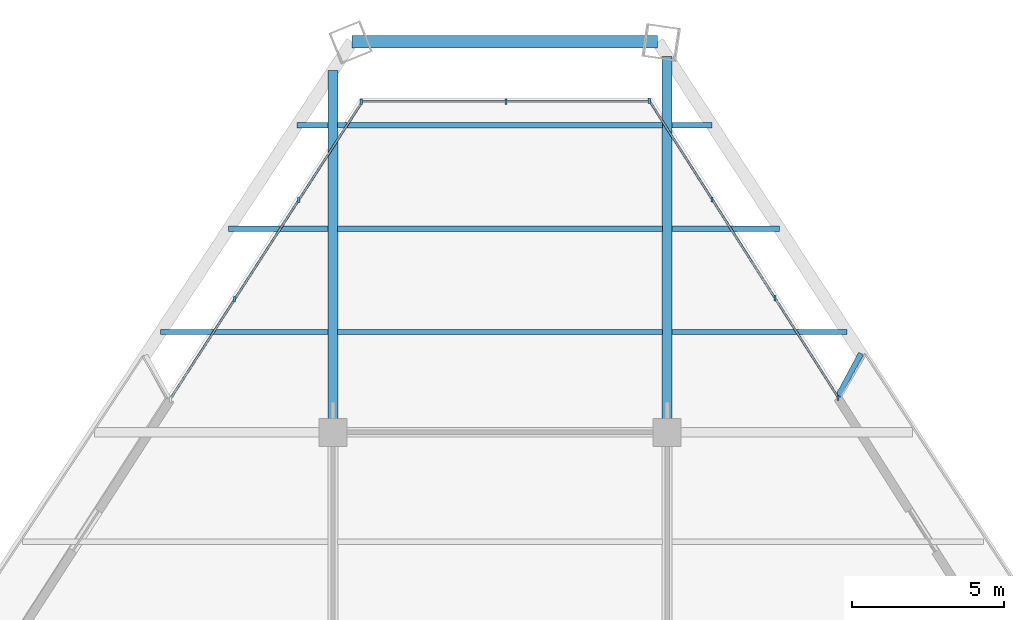
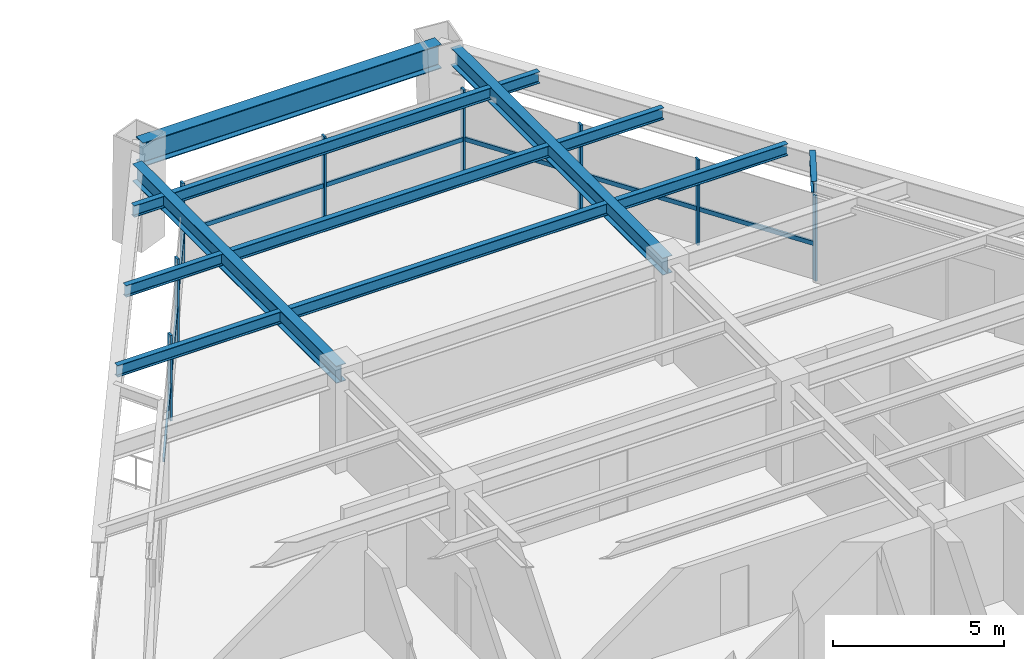
# One storey, part 9 of 15: 16 members, 13 beams, 3 elements without a shape of their own.
"""IFC4 building model written with IfcOpenShell, lengths in metres."""

from ifc_helpers import new_model, si_unit, direction, frame, origin, origin_2d, place, context, subcontext, project, spatial, rectangle, i_section, extrude, source, transform, mapped, material, material_profile, profile_set, type_object, element, aggregate, save


model = new_model("IFC4")

# Units and contexts
model_context = context("Model", 3, precision=1e-05, world=origin(), true_north=direction((0.0, 1.0)))
body_context = subcontext(model_context, "Body", "Model", "MODEL_VIEW")
ifc_project = project(units=[si_unit("LENGTHUNIT", "METRE"), si_unit("AREAUNIT", "SQUARE_METRE"), si_unit("VOLUMEUNIT", "CUBIC_METRE"), si_unit("PLANEANGLEUNIT", "RADIAN"), si_unit("MASSUNIT", "GRAM", prefix="KILO")], contexts=[model_context])

# Site, building, storey
site_placement = place(None, origin())
site = spatial("IfcSite", under=ifc_project, at=site_placement, CompositionType="ELEMENT")
building_placement = place(site_placement, origin())
building = spatial("IfcBuilding", under=site, at=building_placement, Name="Varnakhor Terracotta Tower", CompositionType="ELEMENT")
storey_placement = place(building_placement, frame((0.0, 0.0, 147.800048828125)))
storey = spatial("IfcBuildingStorey", under=building, at=storey_placement, Name="L37", CompositionType="ELEMENT", Elevation=147.800048828125)

# Beams
ifc_material_1 = material(Name="Steel S355", Category="steel")
ifc_material_profile_1 = material_profile(ifc_material_1, i_section(OverallWidth=0.179931640625, OverallDepth=0.4130859375, WebThickness=0.009765625, FlangeThickness=0.01611328125, FilletRadius=0.01806640625, at=origin_2d()), Name="W16X50")
ifc_profile_set_1 = profile_set([ifc_material_profile_1], Name="Steel S355")
beam_type_1 = type_object("IfcBeamType", Name="JST-W16X50", PredefinedType="JOIST", material=ifc_profile_set_1)
shared_shape_1 = source(origin(), body_context, "Body", "SweptSolid", [
    extrude(i_section(OverallWidth=0.179931640625, OverallDepth=0.4130859375, WebThickness=0.009765625, FlangeThickness=0.01611328125, FilletRadius=0.01806640625, at=origin_2d()), origin(), (0.0, 0.0, 1.0), 10.68310546875),
])
for number, where, z_axis, x_axis, name in (
    (1, (-5.341552734375, 34.800048828125, 3.263427734375), (1.0, 0.0, 0.0), (0.0, 1.0, 0.0), "L37 Composite Floor Joist 7-2"),
    (2, (-5.341552734375, 38.199951171875, 3.263427734375), (1.0, 0.0, 0.0), (0.0, 1.0, 0.0), "L37 Composite Floor Joist 8-2"),
    (3, (-5.341552734375, 41.60009765625, 3.263427734375), (1.0, 0.0, 0.0), (0.0, 1.0, 0.0), "L37 Composite Floor Joist 9-2"),
):
    element("IfcBeam", number, at=place(storey_placement, frame(where, z_axis=z_axis, x_axis=x_axis)), inside=storey, type_object=beam_type_1, Name=name, PredefinedType="JOIST", context=body_context, shape_type="MappedRepresentation", body=[
        mapped(shared_shape_1, transform((0.0, 0.0, 0.0), scale=1.0)),
    ])
ifc_material_profile_2 = material_profile(ifc_material_1, i_section(OverallWidth=0.39990234375, OverallDepth=0.85498046875, WebThickness=0.01806640625, FlangeThickness=0.029052734375, FilletRadius=0.01806640625, at=origin_2d()), Name="W33X201")
ifc_profile_set_2 = profile_set([ifc_material_profile_2], Name="Steel S355")
beam_type_2 = type_object("IfcBeamType", Name="BM-W33X201", PredefinedType="BEAM", material=ifc_profile_set_2)
shared_shape_2 = source(origin(), body_context, "Body", "SweptSolid", [
    extrude(i_section(OverallWidth=0.39990234375, OverallDepth=0.85498046875, WebThickness=0.01806640625, FlangeThickness=0.029052734375, FilletRadius=0.01806640625, at=origin_2d()), origin(), (0.0, 0.0, 1.0), 10.063232421875),
])
beam_1_placement = place(storey_placement, frame((5.189453125, 44.351318359375, 3.04248046875), z_axis=(-1.0, 0.0, 0.0), x_axis=(0.0, -1.0, 0.0)))
element("IfcBeam", 4, at=beam_1_placement, inside=storey, type_object=beam_type_2, Name="L37 Perimeter Spandrel 5", PredefinedType="BEAM", context=body_context, shape_type="MappedRepresentation", body=[
    mapped(shared_shape_2, transform((0.0, 0.0, 0.0), scale=1.0)),
])
ifc_material_profile_3 = material_profile(ifc_material_1, i_section(OverallWidth=0.324951171875, OverallDepth=0.615966796875, WebThickness=0.013916015625, FlangeThickness=0.02197265625, FilletRadius=0.01806640625, at=origin_2d()), Name="W24X117")
ifc_profile_set_3 = profile_set([ifc_material_profile_3], Name="Steel S355")
beam_type_3 = type_object("IfcBeamType", Name="BM-W24X117", PredefinedType="BEAM", material=ifc_profile_set_3)
shared_shape_3 = source(origin(), body_context, "Body", "SweptSolid", [
    extrude(i_section(OverallWidth=0.324951171875, OverallDepth=0.615966796875, WebThickness=0.013916015625, FlangeThickness=0.02197265625, FilletRadius=0.01806640625, at=origin_2d()), origin(), (0.0, 0.0, 1.0), 11.901611328125),
])
beam_2_placement = place(storey_placement, frame((-5.5, 31.5, 3.161865234375), z_axis=(0.0, 1.0, 0.0), x_axis=(-1.0, 0.0, 0.0)))
element("IfcBeam", 5, at=beam_2_placement, inside=storey, type_object=beam_type_3, Name="L37 Primary Girder NS3-W", PredefinedType="BEAM", context=body_context, shape_type="MappedRepresentation", body=[
    mapped(shared_shape_3, transform((0.0, 0.0, 0.0), scale=1.0)),
])
shared_shape_4 = source(origin(), body_context, "Body", "SweptSolid", [
    extrude(i_section(OverallWidth=0.324951171875, OverallDepth=0.615966796875, WebThickness=0.013916015625, FlangeThickness=0.02197265625, FilletRadius=0.01806640625, at=origin_2d()), origin(), (0.0, 0.0, 1.0), 12.375244140625),
])
beam_3_placement = place(storey_placement, frame((5.5, 31.5, 3.161865234375), z_axis=(0.0, 1.0, 0.0), x_axis=(-1.0, 0.0, 0.0)))
element("IfcBeam", 6, at=beam_3_placement, inside=storey, type_object=beam_type_3, Name="L37 Primary Girder NS3-E", PredefinedType="BEAM", context=body_context, shape_type="MappedRepresentation", body=[
    mapped(shared_shape_4, transform((0.0, 0.0, 0.0), scale=1.0)),
])
shared_shape_5 = source(origin(), body_context, "Body", "SweptSolid", [
    extrude(i_section(OverallWidth=0.179931640625, OverallDepth=0.4130859375, WebThickness=0.009765625, FlangeThickness=0.01611328125, FilletRadius=0.01806640625, at=origin_2d()), origin(), (0.0, 0.0, 1.0), 5.5126953125),
])
beam_4_placement = place(storey_placement, frame((-11.171142578125, 34.800048828125, 3.263427734375), z_axis=(1.0, 0.0, 0.0), x_axis=(0.0, 1.0, 0.0)))
element("IfcBeam", 7, at=beam_4_placement, inside=storey, type_object=beam_type_1, Name="L37 Composite Floor Joist 7-1", PredefinedType="JOIST", context=body_context, shape_type="MappedRepresentation", body=[
    mapped(shared_shape_5, transform((0.0, 0.0, 0.0), scale=1.0)),
])
shared_shape_6 = source(origin(), body_context, "Body", "SweptSolid", [
    extrude(i_section(OverallWidth=0.179931640625, OverallDepth=0.4130859375, WebThickness=0.009765625, FlangeThickness=0.01611328125, FilletRadius=0.01806640625, at=origin_2d()), origin(), (0.0, 0.0, 1.0), 5.76025390625),
])
beam_5_placement = place(storey_placement, frame((5.658447265625, 34.800048828125, 3.263427734375), z_axis=(1.0, 0.0, 0.0), x_axis=(0.0, 1.0, 0.0)))
element("IfcBeam", 8, at=beam_5_placement, inside=storey, type_object=beam_type_1, Name="L37 Composite Floor Joist 7-3", PredefinedType="JOIST", context=body_context, shape_type="MappedRepresentation", body=[
    mapped(shared_shape_6, transform((0.0, 0.0, 0.0), scale=1.0)),
])
shared_shape_7 = source(origin(), body_context, "Body", "SweptSolid", [
    extrude(i_section(OverallWidth=0.179931640625, OverallDepth=0.4130859375, WebThickness=0.009765625, FlangeThickness=0.01611328125, FilletRadius=0.01806640625, at=origin_2d()), origin(), (0.0, 0.0, 1.0), 3.27099609375),
])
beam_6_placement = place(storey_placement, frame((-8.929443359375, 38.199951171875, 3.263427734375), z_axis=(1.0, 0.0, 0.0), x_axis=(0.0, 1.0, 0.0)))
element("IfcBeam", 9, at=beam_6_placement, inside=storey, type_object=beam_type_1, Name="L37 Composite Floor Joist 8-1", PredefinedType="JOIST", context=body_context, shape_type="MappedRepresentation", body=[
    mapped(shared_shape_7, transform((0.0, 0.0, 0.0), scale=1.0)),
])
shared_shape_8 = source(origin(), body_context, "Body", "SweptSolid", [
    extrude(i_section(OverallWidth=0.179931640625, OverallDepth=0.4130859375, WebThickness=0.009765625, FlangeThickness=0.01611328125, FilletRadius=0.01806640625, at=origin_2d()), origin(), (0.0, 0.0, 1.0), 3.54296875),
])
beam_7_placement = place(storey_placement, frame((5.658447265625, 38.199951171875, 3.263427734375), z_axis=(1.0, 0.0, 0.0), x_axis=(0.0, 1.0, 0.0)))
element("IfcBeam", 10, at=beam_7_placement, inside=storey, type_object=beam_type_1, Name="L37 Composite Floor Joist 8-3", PredefinedType="JOIST", context=body_context, shape_type="MappedRepresentation", body=[
    mapped(shared_shape_8, transform((0.0, 0.0, 0.0), scale=1.0)),
])
shared_shape_9 = source(origin(), body_context, "Body", "SweptSolid", [
    extrude(i_section(OverallWidth=0.179931640625, OverallDepth=0.4130859375, WebThickness=0.009765625, FlangeThickness=0.01611328125, FilletRadius=0.01806640625, at=origin_2d()), origin(), (0.0, 0.0, 1.0), 1.029296875),
])
beam_8_placement = place(storey_placement, frame((-6.687744140625, 41.60009765625, 3.263427734375), z_axis=(1.0, 0.0, 0.0), x_axis=(0.0, 1.0, 0.0)))
element("IfcBeam", 11, at=beam_8_placement, inside=storey, type_object=beam_type_1, Name="L37 Composite Floor Joist 9-1", PredefinedType="JOIST", context=body_context, shape_type="MappedRepresentation", body=[
    mapped(shared_shape_9, transform((0.0, 0.0, 0.0), scale=1.0)),
])
shared_shape_10 = source(origin(), body_context, "Body", "SweptSolid", [
    extrude(i_section(OverallWidth=0.179931640625, OverallDepth=0.4130859375, WebThickness=0.009765625, FlangeThickness=0.01611328125, FilletRadius=0.01806640625, at=origin_2d()), origin(), (0.0, 0.0, 1.0), 1.325439453125),
])
beam_9_placement = place(storey_placement, frame((5.658447265625, 41.60009765625, 3.263427734375), z_axis=(1.0, 0.0, 0.0), x_axis=(0.0, 1.0, 0.0)))
element("IfcBeam", 12, at=beam_9_placement, inside=storey, type_object=beam_type_1, Name="L37 Composite Floor Joist 9-3", PredefinedType="JOIST", context=body_context, shape_type="MappedRepresentation", body=[
    mapped(shared_shape_10, transform((0.0, 0.0, 0.0), scale=1.0)),
])
ifc_material_profile_4 = material_profile(ifc_material_1, i_section(OverallWidth=0.179931640625, OverallDepth=0.39990234375, WebThickness=0.008544921875, FlangeThickness=0.013427734375, FilletRadius=0.01806640625, at=origin_2d()), Name="IPE400")
ifc_profile_set_4 = profile_set([ifc_material_profile_4], Name="Steel S355")
beam_type_4 = type_object("IfcBeamType", Name="JST-IPE400", PredefinedType="JOIST", material=ifc_profile_set_4)
shared_shape_11 = source(origin(), body_context, "Body", "SweptSolid", [
    extrude(i_section(OverallWidth=0.179931640625, OverallDepth=0.39990234375, WebThickness=0.008544921875, FlangeThickness=0.013427734375, FilletRadius=0.01806640625, at=origin_2d()), origin(), (0.0, 0.0, 1.0), 1.599853515625),
])
beam_10_placement = place(storey_placement, frame((11.12255859375, 32.682373046875, 3.27001953125), z_axis=(0.47410892264, 0.880466200074, 0.0), x_axis=(-0.880466200074, 0.47410892264, 0.0)))
element("IfcBeam", 13, at=beam_10_placement, inside=storey, type_object=beam_type_4, Name="L38 E Loggia Tie Beam 1", PredefinedType="JOIST", context=body_context, shape_type="MappedRepresentation", body=[
    mapped(shared_shape_11, transform((0.0, 0.0, 0.0), scale=1.0)),
])

# Curtain wall, members
ifc_material_2 = material(Name="Anodised Aluminium Curtain Wall System", Category="aluminium")
curtain_wall_type = type_object("IfcCurtainWallType", Name="CW-SYS-MID-OFFICE", PredefinedType="NOTDEFINED", material=ifc_material_2)
curtain_wall_1_placement = place(storey_placement, origin())
curtain_wall_1 = element("IfcCurtainWall", 14, at=curtain_wall_1_placement, inside=storey, type_object=curtain_wall_type, Name="L37 W Facet Curtain Wall 2", PredefinedType="NOTDEFINED")
ifc_material_3 = material(Name="Anodised Aluminium 6063-T6", Category="aluminium")
ifc_material_profile_5 = material_profile(ifc_material_3, rectangle(XDim=0.070068359375, YDim=0.175048828125, at=origin_2d()), Name="ALU MULLION 70x175")
ifc_profile_set_5 = profile_set([ifc_material_profile_5], Name="Anodised Aluminium 6063-T6")
member_type_1 = type_object("IfcMemberType", Name="CWM-03", PredefinedType="MULLION", material=ifc_profile_set_5)
shared_shape_12 = source(origin(), body_context, "Body", "SweptSolid", [
    extrude(rectangle(XDim=0.070068359375, YDim=0.175048828125, at=origin_2d()), origin(), (0.0, 0.0, 1.0), 3.050048828125),
])
member_1_placement = place(storey_placement, frame((-8.734619140625, 35.873046875, 0.0), z_axis=(0.0, 0.0, 1.0), x_axis=(1.0, 0.0, 0.0)))
member_1 = element("IfcMember", 15, at=member_1_placement, type_object=member_type_1, Name="L37 W Facet Curtain Wall 2 Mullion 2", PredefinedType="MULLION", context=body_context, shape_type="MappedRepresentation", body=[
    mapped(shared_shape_12, transform((0.0, 0.0, 0.0), scale=1.0)),
])
member_2_placement = place(storey_placement, frame((-6.62255859375, 39.142578125, 0.0), z_axis=(0.0, 0.0, 1.0), x_axis=(1.0, 0.0, 0.0)))
member_2 = element("IfcMember", 16, at=member_2_placement, type_object=member_type_1, Name="L37 W Facet Curtain Wall 2 Mullion 3", PredefinedType="MULLION", context=body_context, shape_type="MappedRepresentation", body=[
    mapped(shared_shape_12, transform((0.0, 0.0, 0.0), scale=1.0)),
])

curtain_wall_2_placement = place(storey_placement, origin())
curtain_wall_2 = element("IfcCurtainWall", 17, at=curtain_wall_2_placement, inside=storey, type_object=curtain_wall_type, Name="L37 Facet Curtain Wall 2", PredefinedType="NOTDEFINED")
member_3_placement = place(storey_placement, frame((-4.564697265625, 42.382568359375, 0.0), z_axis=(0.0, 0.0, 1.0), x_axis=(1.0, 0.0, 0.0)))
member_3 = element("IfcMember", 18, at=member_3_placement, type_object=member_type_1, Name="L37 Facet Curtain Wall 2 Mullion 1", PredefinedType="MULLION", context=body_context, shape_type="MappedRepresentation", body=[
    mapped(shared_shape_12, transform((0.0, 0.0, 0.0), scale=1.0)),
])
member_4_placement = place(storey_placement, frame((0.201904296875, 42.382568359375, 0.0), z_axis=(0.0, 0.0, 1.0), x_axis=(1.0, 0.0, 0.0)))
member_4 = element("IfcMember", 19, at=member_4_placement, type_object=member_type_1, Name="L37 Facet Curtain Wall 2 Mullion 2", PredefinedType="MULLION", context=body_context, shape_type="MappedRepresentation", body=[
    mapped(shared_shape_12, transform((0.0, 0.0, 0.0), scale=1.0)),
])

curtain_wall_3_placement = place(storey_placement, origin())
curtain_wall_3 = element("IfcCurtainWall", 20, at=curtain_wall_3_placement, inside=storey, type_object=curtain_wall_type, Name="L37 E Facet Curtain Wall 1", PredefinedType="NOTDEFINED")
member_5_placement = place(storey_placement, frame((4.913330078125, 42.412841796875, 0.0), z_axis=(0.0, 0.0, 1.0), x_axis=(1.0, 0.0, 0.0)))
member_5 = element("IfcMember", 21, at=member_5_placement, type_object=member_type_1, Name="L37 E Facet Curtain Wall 1 Mullion 1", PredefinedType="MULLION", context=body_context, shape_type="MappedRepresentation", body=[
    mapped(shared_shape_12, transform((0.0, 0.0, 0.0), scale=1.0)),
])
member_6_placement = place(storey_placement, frame((6.982177734375, 39.16259765625, 0.0), z_axis=(0.0, 0.0, 1.0), x_axis=(1.0, 0.0, 0.0)))
member_6 = element("IfcMember", 22, at=member_6_placement, type_object=member_type_1, Name="L37 E Facet Curtain Wall 1 Mullion 2", PredefinedType="MULLION", context=body_context, shape_type="MappedRepresentation", body=[
    mapped(shared_shape_12, transform((0.0, 0.0, 0.0), scale=1.0)),
])
member_7_placement = place(storey_placement, frame((9.051025390625, 35.912353515625, 0.0), z_axis=(0.0, 0.0, 1.0), x_axis=(1.0, 0.0, 0.0)))
member_7 = element("IfcMember", 23, at=member_7_placement, type_object=member_type_1, Name="L37 E Facet Curtain Wall 1 Mullion 3", PredefinedType="MULLION", context=body_context, shape_type="MappedRepresentation", body=[
    mapped(shared_shape_12, transform((0.0, 0.0, 0.0), scale=1.0)),
])
member_8_placement = place(storey_placement, frame((11.119140625, 32.6259765625, 0.0), z_axis=(0.0, 0.0, 1.0), x_axis=(1.0, 0.0, 0.0)))
member_8 = element("IfcMember", 24, at=member_8_placement, type_object=member_type_1, Name="L37 E Loggia Jamb Closure Mullion 1", PredefinedType="MULLION", context=body_context, shape_type="MappedRepresentation", body=[
    mapped(shared_shape_12, transform((0.0, 0.0, 0.0), scale=1.0)),
])

# Member
ifc_material_profile_6 = material_profile(ifc_material_3, rectangle(XDim=0.070068359375, YDim=0.155029296875, at=origin_2d()), Name="ALU TRANSOM 70x155")
ifc_profile_set_6 = profile_set([ifc_material_profile_6], Name="Anodised Aluminium 6063-T6")
member_type_2 = type_object("IfcMemberType", Name="CWT-03", PredefinedType="USERDEFINED", material=ifc_profile_set_6)
shared_shape_13 = source(origin(), body_context, "Body", "SweptSolid", [
    extrude(rectangle(XDim=0.070068359375, YDim=0.155029296875, at=origin_2d()), origin(), (0.0, 0.0, 1.0), 3.892822265625),
])
member_9_placement = place(storey_placement, frame((-10.846923828125, 32.603271484375, 1.281005859375), z_axis=(0.542629616689, 0.839972082329, 0.0), x_axis=(-0.839972082329, 0.542629616689, 0.0)))
member_9 = element("IfcMember", 25, at=member_9_placement, type_object=member_type_2, Name="L37 W Facet Curtain Wall 2 Transom 1", ObjectType="TRANSOM", PredefinedType="USERDEFINED", context=body_context, shape_type="MappedRepresentation", body=[
    mapped(shared_shape_13, transform((0.0, 0.0, 0.0), scale=1.0)),
])

member_10_placement = place(storey_placement, frame((-6.62255859375, 39.142578125, 1.281005859375), z_axis=(0.542629616689, 0.839972082329, 0.0), x_axis=(-0.839972082329, 0.542629616689, 0.0)))
member_10 = element("IfcMember", 26, at=member_10_placement, type_object=member_type_2, Name="L37 W Facet Curtain Wall 2 Transom 3", ObjectType="TRANSOM", PredefinedType="USERDEFINED", context=body_context, shape_type="MappedRepresentation", body=[
    mapped(shared_shape_13, transform((0.0, 0.0, 0.0), scale=1.0)),
])

shared_shape_14 = source(origin(), body_context, "Body", "SweptSolid", [
    extrude(rectangle(XDim=0.070068359375, YDim=0.155029296875, at=origin_2d()), origin(), (0.0, 0.0, 1.0), 3.892333984375),
])
member_11_placement = place(storey_placement, frame((-8.734619140625, 35.873046875, 1.281005859375), z_axis=(0.542613951016, 0.839982202289, 0.0), x_axis=(-0.839982202289, 0.542613951016, 0.0)))
member_11 = element("IfcMember", 27, at=member_11_placement, type_object=member_type_2, Name="L37 W Facet Curtain Wall 2 Transom 2", ObjectType="TRANSOM", PredefinedType="USERDEFINED", context=body_context, shape_type="MappedRepresentation", body=[
    mapped(shared_shape_14, transform((0.0, 0.0, 0.0), scale=1.0)),
])

aggregate(curtain_wall_1, [member_9, member_1, member_11, member_2, member_10])

shared_shape_15 = source(origin(), body_context, "Body", "SweptSolid", [
    extrude(rectangle(XDim=0.070068359375, YDim=0.155029296875, at=origin_2d()), origin(), (0.0, 0.0, 1.0), 4.7666015625),
])
member_12_placement = place(storey_placement, frame((-4.564697265625, 42.382568359375, 1.281005859375), z_axis=(1.0, 0.0, 0.0), x_axis=(0.0, 1.0, 0.0)))
member_12 = element("IfcMember", 28, at=member_12_placement, type_object=member_type_2, Name="L37 Facet Curtain Wall 2 Transom 1", ObjectType="TRANSOM", PredefinedType="USERDEFINED", context=body_context, shape_type="MappedRepresentation", body=[
    mapped(shared_shape_15, transform((0.0, 0.0, 0.0), scale=1.0)),
])

member_13_placement = place(storey_placement, frame((0.201904296875, 42.382568359375, 1.281005859375), z_axis=(1.0, 0.0, 0.0), x_axis=(0.0, 1.0, 0.0)))
member_13 = element("IfcMember", 29, at=member_13_placement, type_object=member_type_2, Name="L37 Facet Curtain Wall 2 Transom 2", ObjectType="TRANSOM", PredefinedType="USERDEFINED", context=body_context, shape_type="MappedRepresentation", body=[
    mapped(shared_shape_15, transform((0.0, 0.0, 0.0), scale=1.0)),
])

aggregate(curtain_wall_2, [member_3, member_12, member_4, member_13])

shared_shape_16 = source(origin(), body_context, "Body", "SweptSolid", [
    extrude(rectangle(XDim=0.070068359375, YDim=0.155029296875, at=origin_2d()), origin(), (0.0, 0.0, 1.0), 3.852783203125),
])
member_14_placement = place(storey_placement, frame((4.913330078125, 42.412841796875, 1.281005859375), z_axis=(0.536969793465, -0.843601470427, 0.0), x_axis=(0.843601470427, 0.536969793465, 0.0)))
member_14 = element("IfcMember", 30, at=member_14_placement, type_object=member_type_2, Name="L37 E Facet Curtain Wall 1 Transom 1", ObjectType="TRANSOM", PredefinedType="USERDEFINED", context=body_context, shape_type="MappedRepresentation", body=[
    mapped(shared_shape_16, transform((0.0, 0.0, 0.0), scale=1.0)),
])

member_15_placement = place(storey_placement, frame((6.982177734375, 39.16259765625, 1.281005859375), z_axis=(0.536969793465, -0.843601470427, 0.0), x_axis=(0.843601470427, 0.536969793465, 0.0)))
member_15 = element("IfcMember", 31, at=member_15_placement, type_object=member_type_2, Name="L37 E Facet Curtain Wall 1 Transom 2", ObjectType="TRANSOM", PredefinedType="USERDEFINED", context=body_context, shape_type="MappedRepresentation", body=[
    mapped(shared_shape_16, transform((0.0, 0.0, 0.0), scale=1.0)),
])

member_16_placement = place(storey_placement, frame((9.051025390625, 35.912353515625, 1.281005859375), z_axis=(0.536969793465, -0.843601470427, 0.0), x_axis=(0.843601470427, 0.536969793465, 0.0)))
member_16 = element("IfcMember", 32, at=member_16_placement, type_object=member_type_2, Name="L37 E Facet Curtain Wall 1 Transom 3", ObjectType="TRANSOM", PredefinedType="USERDEFINED", context=body_context, shape_type="MappedRepresentation", body=[
    mapped(shared_shape_16, transform((0.0, 0.0, 0.0), scale=1.0)),
])

aggregate(curtain_wall_3, [member_5, member_14, member_6, member_15, member_7, member_16, member_8])

save(model, "model.ifc")
